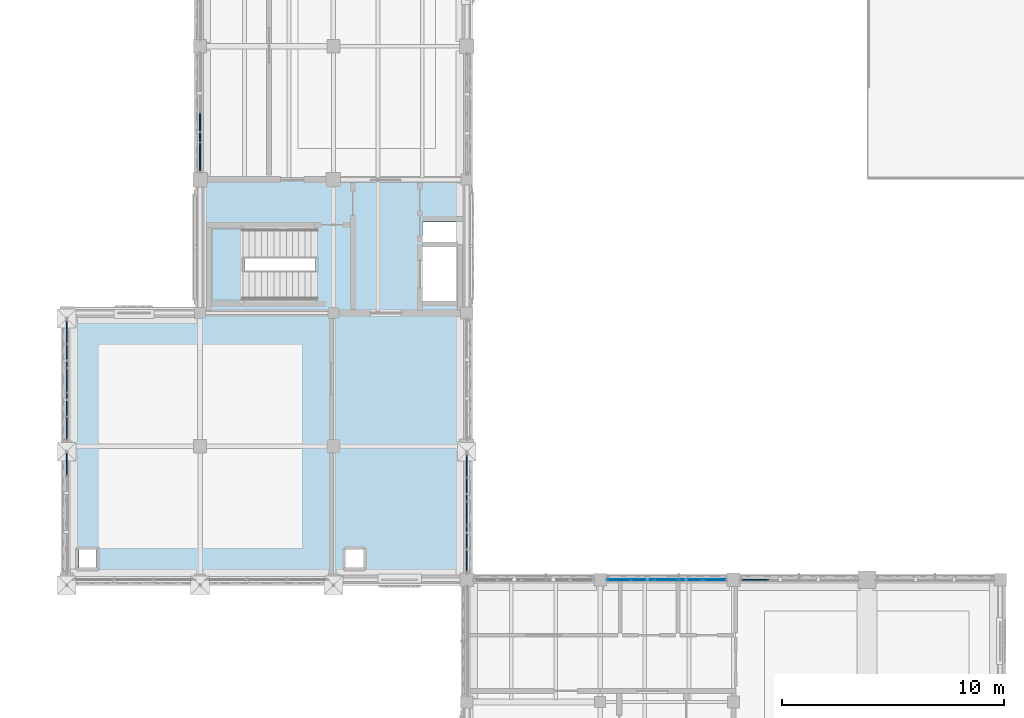
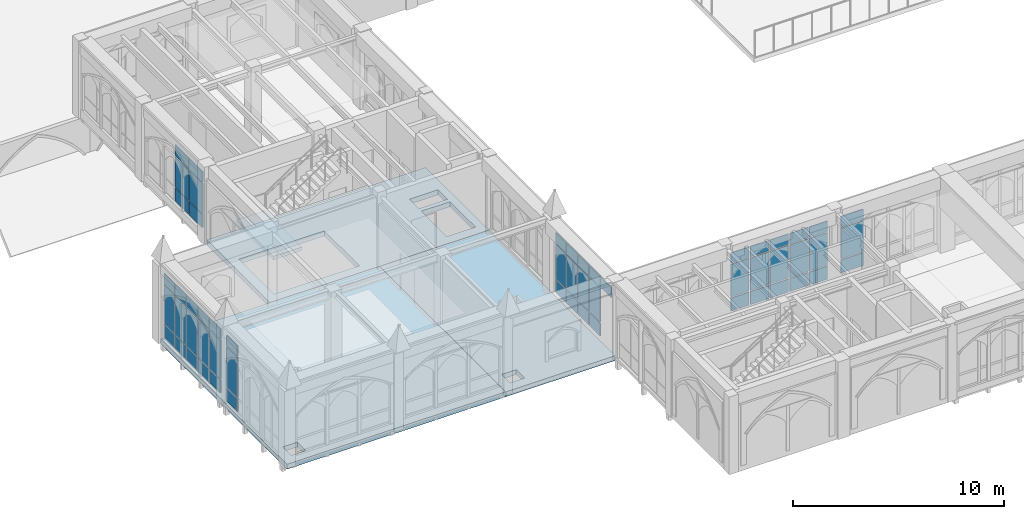
# One storey, part 64 of 127: 55 plates, 4 slabs, 7 elements without a shape of their own.
"""IFC4 building model written with IfcOpenShell, lengths in metres."""

import ifcopenshell
import ifcopenshell.guid

model = None  # the IFC model being written
_history = None  # IfcOwnerHistory: only IFC2X3 demands one
_inside = {}  # id of a spatial element -> (the spatial element, [elements in it])
_under = {}  # id of a project, library or spatial element -> (it, [spatial elements below it])
_declared = {}  # id of a project -> (the project, [libraries it declares])
_typed = {}  # id of a type object -> (the type object, [elements of that type])
_made_of = {}  # id of a material, layer set ... -> (it, [elements and type objects made of it])


def new_model(schema):
    """Start an empty IFC model of exactly this schema.

    Asked for "IFC4X3", IfcOpenShell would pick the latest addendum, in which some entities
    have other attributes; the version numbers below select the first issue.
    IFC2X3 requires an IfcOwnerHistory on every rooted entity: one is made here for all.
    """
    global model, _history
    if schema == "IFC4X3":
        model = ifcopenshell.file(schema_version=(4, 3, 0, 0))
    else:
        model = ifcopenshell.file(schema=schema)
    _inside.clear()
    _under.clear()
    _declared.clear()
    _typed.clear()
    _made_of.clear()
    _history = None
    if model.schema == "IFC2X3":
        org = make("IfcOrganization", Name="unknown")
        user = make(
            "IfcPersonAndOrganization",
            ThePerson=make("IfcPerson", FamilyName="unknown"),
            TheOrganization=org,
        )
        app = make(
            "IfcApplication",
            ApplicationDeveloper=org,
            Version="unknown",
            ApplicationFullName="unknown",
            ApplicationIdentifier="unknown",
        )
        _history = make(
            "IfcOwnerHistory",
            OwningUser=user,
            OwningApplication=app,
            ChangeAction="ADDED",
            CreationDate=0,
        )
    return model


def make(cls, **values):
    """One entity of the class cls with the attributes given. An attribute that is None is left unset."""
    return model.create_entity(
        cls, **{name: value for name, value in values.items() if value is not None}
    )


def rooted(cls, **values):
    """An entity with a GlobalId (a new one), such as an element, a storey or a relation."""
    return make(cls, GlobalId=ifcopenshell.guid.new(), OwnerHistory=_history, **values)


def si_unit(unit_type, name, prefix=None):
    """IfcSIUnit, for example si_unit("LENGTHUNIT", "METRE", prefix="MILLI")."""
    return make("IfcSIUnit", UnitType=unit_type, Prefix=prefix, Name=name)


def assignment(units):
    """IfcUnitAssignment: the units of a project."""
    return None if units is None else make("IfcUnitAssignment", Units=units)


def point(xyz):
    """IfcCartesianPoint."""
    return None if xyz is None else make("IfcCartesianPoint", Coordinates=xyz)


def direction(xyz):
    """IfcDirection."""
    return None if xyz is None else make("IfcDirection", DirectionRatios=xyz)


def frame(location, z_axis=None, x_axis=None):
    """IfcAxis2Placement3D, a coordinate frame: its origin and axes. An axis left out is left unset."""
    return make(
        "IfcAxis2Placement3D",
        Location=point(location),
        Axis=direction(z_axis),
        RefDirection=direction(x_axis),
    )


def frame_2d(location, x_axis=None):
    """IfcAxis2Placement2D, a coordinate frame in the plane: its origin and x axis."""
    return make(
        "IfcAxis2Placement2D", Location=point(location), RefDirection=direction(x_axis)
    )


def origin():
    """The frame at (0, 0, 0) with its axes left unset."""
    return frame((0.0, 0.0, 0.0))


def origin_2d():
    """The frame at (0, 0) in the plane with its x axis left unset."""
    return frame_2d((0.0, 0.0))


def place(relative_to, where):
    """IfcLocalPlacement: puts the frame where relative to a parent placement (None: the world)."""
    return make(
        "IfcLocalPlacement", PlacementRelTo=relative_to, RelativePlacement=where
    )


def context(
    kind, dimensions, precision=None, world=None, true_north=None, identifier=None
):
    """IfcGeometricRepresentationContext, for example the 3D "Model" context."""
    return make(
        "IfcGeometricRepresentationContext",
        ContextIdentifier=identifier,
        ContextType=kind,
        CoordinateSpaceDimension=dimensions,
        Precision=precision,
        WorldCoordinateSystem=world,
        TrueNorth=true_north,
    )


def subcontext(parent, identifier, kind, view, scale=None):
    """IfcGeometricRepresentationSubContext, for example "Body" below "Model"."""
    return make(
        "IfcGeometricRepresentationSubContext",
        ContextIdentifier=identifier,
        ContextType=kind,
        ParentContext=parent,
        TargetScale=scale,
        TargetView=view,
    )


def project(units=None, contexts=None):
    """IfcProject with its units and contexts."""
    return rooted(
        "IfcProject",
        Name="project",
        RepresentationContexts=contexts,
        UnitsInContext=assignment(units),
    )


def spatial(cls, under=None, at=None, **own):
    """A site, building, storey or space (cls), placed at a placement, below another one or the project."""
    s = rooted(cls, ObjectPlacement=at, **own)
    if under is not None:
        _under.setdefault(under.id(), (under, []))[1].append(s)
    return s


def polyline(points):
    """IfcPolyline through the points."""
    return make("IfcPolyline", Points=[point(p) for p in points])


def profile(cls, at=None, kind="AREA", **sizes):
    """A parametric profile (cls). Its sizes go by their IFC names, for example OverallWidth=200.0."""
    return make(cls, ProfileType=kind, Position=at, **sizes)


def rectangle(**sizes):
    """IfcRectangleProfileDef."""
    return profile("IfcRectangleProfileDef", **sizes)


def outline(outer, holes=None, kind="AREA"):
    """IfcArbitraryClosedProfileDef: a profile drawn as a closed curve; with holes, ...WithVoids."""
    if holes is None:
        return make("IfcArbitraryClosedProfileDef", ProfileType=kind, OuterCurve=outer)
    return make(
        "IfcArbitraryProfileDefWithVoids",
        ProfileType=kind,
        OuterCurve=outer,
        InnerCurves=holes,
    )


def extrude(swept, where, along, depth):
    """IfcExtrudedAreaSolid: the profile swept, set in the frame where, extruded along a direction by depth."""
    return make(
        "IfcExtrudedAreaSolid",
        SweptArea=swept,
        Position=where,
        ExtrudedDirection=direction(along),
        Depth=depth,
    )


def shape(context_of_items, identifier, shape_type, items):
    """IfcShapeRepresentation: the items that make up one representation, for example the "Body"."""
    return make(
        "IfcShapeRepresentation",
        ContextOfItems=context_of_items,
        RepresentationIdentifier=identifier,
        RepresentationType=shape_type,
        Items=items,
    )


def material(Name=None, Category=None):
    """IfcMaterial."""
    return make("IfcMaterial", Name=Name, Category=Category)


def layer(
    of_material, thickness, ventilated=None, Name=None, Category=None, Priority=None
):
    """IfcMaterialLayer: one layer of a wall or slab, of a material (None: an air gap)."""
    return make(
        "IfcMaterialLayer",
        Material=of_material,
        LayerThickness=thickness,
        IsVentilated=ventilated,
        Name=Name,
        Category=Category,
        Priority=Priority,
    )


def layer_set(layers, Name=None):
    """IfcMaterialLayerSet."""
    return make("IfcMaterialLayerSet", MaterialLayers=layers, LayerSetName=Name)


def made_of(thing, what):
    """Note that an element or type object is made of a material, layer set ...; save() writes the relation."""
    if what is not None:
        _made_of.setdefault(what.id(), (what, []))[1].append(thing)
    return thing


def type_object(cls, material=None, **own):
    """A type object (cls), such as IfcWallType, which elements share."""
    return made_of(rooted(cls, **own), material)


def element(
    cls,
    number,
    at=None,
    inside=None,
    cuts=None,
    type_object=None,
    material=None,
    context=None,
    identifier="Body",
    shape_type=None,
    held_by="IfcProductDefinitionShape",
    body=None,
    shapes=None,
    **own,
):
    """One element of the class cls, such as IfcWall. Its Tag is "e" and its number.

    at: its placement. inside: the storey or other place that contains it. cuts: it is an
    opening in that element (IfcRelVoidsElement). A single representation is given by context,
    identifier, shape_type and body (its items); several are given by shapes. held_by: the class
    of the entity that holds the representations. save() writes the other relations.
    """
    e = rooted(cls, Tag="e%d" % number, ObjectPlacement=at, **own)
    if body is not None:
        shapes = [shape(context, identifier, shape_type, body)]
    if shapes is not None:
        e.Representation = make(held_by, Representations=shapes)
    if inside is not None:
        _inside.setdefault(inside.id(), (inside, []))[1].append(e)
    if cuts is not None:
        rooted(
            "IfcRelVoidsElement", RelatingBuildingElement=cuts, RelatedOpeningElement=e
        )
    if type_object is not None:
        _typed.setdefault(type_object.id(), (type_object, []))[1].append(e)
    return made_of(e, material)


def aggregate(whole, parts):
    """IfcRelAggregates: a whole, such as a stair, and the parts it consists of."""
    return rooted("IfcRelAggregates", RelatingObject=whole, RelatedObjects=parts)


def save(model, path):
    """Write the relations noted so far, then the file.

    IfcRelAggregates (storeys below a building ...), IfcRelContainedInSpatialStructure (elements
    in a storey), IfcRelDefinesByType, IfcRelAssociatesMaterial and IfcRelDeclares: one each for
    every whole, place, type object, material and project.
    """
    for whole, parts in _under.values():
        aggregate(whole, parts)
    for where, things in _inside.values():
        rooted(
            "IfcRelContainedInSpatialStructure",
            RelatedElements=things,
            RelatingStructure=where,
        )
    for kind, things in _typed.values():
        rooted("IfcRelDefinesByType", RelatedObjects=things, RelatingType=kind)
    for what, things in _made_of.values():
        rooted("IfcRelAssociatesMaterial", RelatedObjects=things, RelatingMaterial=what)
    for by, libraries in _declared.values():
        rooted("IfcRelDeclares", RelatingContext=by, RelatedDefinitions=libraries)
    model.write(path)


model = new_model("IFC4")

# Units and contexts
model_context = context("Model", 3, precision=1e-05, world=origin(), true_north=direction((0.0, 1.0)))
body_context = subcontext(model_context, "Body", "Model", "MODEL_VIEW")
ifc_project = project(units=[si_unit("LENGTHUNIT", "METRE"), si_unit("AREAUNIT", "SQUARE_METRE"), si_unit("VOLUMEUNIT", "CUBIC_METRE"), si_unit("PLANEANGLEUNIT", "RADIAN"), si_unit("MASSUNIT", "GRAM", prefix="KILO")], contexts=[model_context])

# Site, building, storey
site_placement = place(None, origin())
site = spatial("IfcSite", under=ifc_project, at=site_placement, CompositionType="ELEMENT")
building_placement = place(site_placement, origin())
building = spatial("IfcBuilding", under=site, at=building_placement, Name="Cumevento Cable Car Station", CompositionType="ELEMENT")
storey_placement = place(building_placement, frame((0.0, 0.0, 4.5)))
storey = spatial("IfcBuildingStorey", under=building, at=storey_placement, Name="L02", CompositionType="ELEMENT", Elevation=4.5)

# Slabs
ifc_material_1 = material(Name="Concrete C40/50", Category="concrete")
ifc_layer_1 = layer(ifc_material_1, 0.283935546875)
ifc_layer_set_1 = layer_set([ifc_layer_1], Name="Concrete C40/50")
slab_type_1 = type_object("IfcSlabType", Name="Concrete Deck FS-284 284", PredefinedType="FLOOR", material=ifc_layer_set_1)
slab_1_placement = place(storey_placement, frame((0.0, 0.0, -0.283935546875)))
element("IfcSlab", 1, at=slab_1_placement, inside=storey, type_object=slab_type_1, Name="Floor Slab FS-284 L02 B_V6a.1", PredefinedType="FLOOR", context=body_context, shape_type="SweptSolid", body=[
    extrude(outline(polyline([(4.0, 15.0), (16.0, 15.0), (16.0, 27.0), (4.0, 27.0), (4.0, 15.0)]), holes=[polyline([(4.550048828125, 15.550048828125), (5.35009765625, 15.550048828125), (5.35009765625, 16.35009765625), (4.550048828125, 16.35009765625), (4.550048828125, 15.550048828125)])]), origin(), (0.0, 0.0, 1.0), 0.283935546875),
])
slab_2_placement = place(storey_placement, frame((0.0, 0.0, -0.283935546875)))
element("IfcSlab", 2, at=slab_2_placement, inside=storey, type_object=slab_type_1, Name="Floor Slab FS-284 L02 B_V6a.2", PredefinedType="FLOOR", context=body_context, shape_type="SweptSolid", body=[
    extrude(outline(polyline([(16.0, 15.0), (22.0, 15.0), (22.0, 27.0), (16.0, 27.0), (16.0, 15.0)]), holes=[polyline([(16.550048828125, 15.550048828125), (17.35009765625, 15.550048828125), (17.35009765625, 16.35009765625), (16.550048828125, 16.35009765625), (16.550048828125, 15.550048828125)])]), origin(), (0.0, 0.0, 1.0), 0.283935546875),
])
ifc_material_2 = material(Name="Concrete C40/50", Category="concrete")
ifc_layer_2 = layer(ifc_material_2, 0.2958984375)
ifc_layer_set_2 = layer_set([ifc_layer_2], Name="Concrete C40/50")
slab_type_2 = type_object("IfcSlabType", Name="Concrete Deck FS-296 296", PredefinedType="FLOOR", material=ifc_layer_set_2)
slab_3_placement = place(storey_placement, frame((0.0, 0.0, -0.2958984375)))
element("IfcSlab", 3, at=slab_3_placement, inside=storey, type_object=slab_type_2, Name="Floor Slab FS-296 L02 B_V6b_core.1", PredefinedType="FLOOR", context=body_context, shape_type="SweptSolid", body=[
    extrude(outline(polyline([(10.0, 27.0), (22.0, 27.0), (22.0, 33.0), (10.0, 33.0), (10.0, 27.0)]), holes=[polyline([(20.010009765625, 27.5400390625), (21.580078125, 27.5400390625), (21.580078125, 29.9599609375), (20.010009765625, 29.9599609375), (20.010009765625, 27.5400390625)]), polyline([(10.52001953125, 27.52001953125), (15.199951171875, 27.52001953125), (15.199951171875, 30.85009765625), (10.52001953125, 30.85009765625), (10.52001953125, 27.52001953125)]), polyline([(20.010009765625, 30.199951171875), (21.580078125, 30.199951171875), (21.580078125, 31.10009765625), (20.010009765625, 31.10009765625), (20.010009765625, 30.199951171875)])]), origin(), (0.0, 0.0, 1.0), 0.2958984375),
])

# Curtain wall, plates
ifc_material_3 = material(Name="Anodised Bronze Aluminium AW-6063-T6", Category="aluminium")
ifc_layer_3 = layer(ifc_material_3, 0.177978515625)
ifc_layer_set_3 = layer_set([ifc_layer_3], Name="Anodised Bronze Aluminium AW-6063-T6")
curtain_wall_type_1 = type_object("IfcCurtainWallType", Name="Lancet Curtain Wall CW-04 1170", PredefinedType="NOTDEFINED", material=ifc_layer_set_3)
curtain_wall_1_placement = place(storey_placement, origin())
curtain_wall_1 = element("IfcCurtainWall", 4, at=curtain_wall_1_placement, inside=storey, type_object=curtain_wall_type_1, Name="Lancet Curtain Wall CW-04 L02 #19", PredefinedType="NOTDEFINED")
ifc_material_4 = material(Name="Solar Control Laminated Double Glazing", Category="glass")
ifc_layer_4 = layer(ifc_material_4, 0.0419921875)
ifc_layer_set_4 = layer_set([ifc_layer_4], Name="Solar Control Laminated Double Glazing")
plate_type_1 = type_object("IfcPlateType", Name="Glazed Panel CWP-06 42", PredefinedType="CURTAIN_PANEL", material=ifc_layer_set_4)
plate_1_placement = place(storey_placement, frame((28.833740234375, 15.0, 0.375), z_axis=(0.0, 0.0, 1.0), x_axis=(1.0, 0.0, 0.0)))
plate_1 = element("IfcPlate", 5, at=plate_1_placement, type_object=plate_type_1, Name="CW-04 panel 1.1", PredefinedType="CURTAIN_PANEL", context=body_context, shape_type="SweptSolid", body=[
    extrude(rectangle(XDim=0.987548828125, YDim=0.0419921875, at=origin_2d()), origin(), (0.0, 0.0, 1.0), 0.75244140625),
])
plate_2_placement = place(storey_placement, frame((28.833740234375, 15.0, 1.1923828125), z_axis=(0.0, 0.0, 1.0), x_axis=(1.0, 0.0, 0.0)))
plate_2 = element("IfcPlate", 6, at=plate_2_placement, type_object=plate_type_1, Name="CW-04 panel 1.2", PredefinedType="CURTAIN_PANEL", context=body_context, shape_type="SweptSolid", body=[
    extrude(rectangle(XDim=0.987548828125, YDim=0.0419921875, at=origin_2d()), origin(), (0.0, 0.0, 1.0), 1.884033203125),
])
plate_3_placement = place(storey_placement, frame((28.833740234375, 15.0, 3.1416015625), z_axis=(0.0, 0.0, 1.0), x_axis=(1.0, 0.0, 0.0)))
plate_3 = element("IfcPlate", 7, at=plate_3_placement, type_object=plate_type_1, Name="CW-04 panel 1.3", PredefinedType="CURTAIN_PANEL", context=body_context, shape_type="SweptSolid", body=[
    extrude(rectangle(XDim=0.987548828125, YDim=0.0419921875, at=origin_2d()), origin(), (0.0, 0.0, 1.0), 0.6025390625),
])
plate_4_placement = place(storey_placement, frame((29.902587890625, 15.0, 0.375), z_axis=(0.0, 0.0, 1.0), x_axis=(1.0, 0.0, 0.0)))
plate_4 = element("IfcPlate", 8, at=plate_4_placement, type_object=plate_type_1, Name="CW-04 panel 2.1", PredefinedType="CURTAIN_PANEL", context=body_context, shape_type="SweptSolid", body=[
    extrude(rectangle(XDim=1.02001953125, YDim=0.0419921875, at=origin_2d()), origin(), (0.0, 0.0, 1.0), 0.75244140625),
])
plate_5_placement = place(storey_placement, frame((29.902587890625, 15.0, 1.1923828125), z_axis=(0.0, 0.0, 1.0), x_axis=(1.0, 0.0, 0.0)))
plate_5 = element("IfcPlate", 9, at=plate_5_placement, type_object=plate_type_1, Name="CW-04 panel 2.2", PredefinedType="CURTAIN_PANEL", context=body_context, shape_type="SweptSolid", body=[
    extrude(rectangle(XDim=1.02001953125, YDim=0.0419921875, at=origin_2d()), origin(), (0.0, 0.0, 1.0), 1.884033203125),
])
plate_6_placement = place(storey_placement, frame((29.902587890625, 15.0, 3.1416015625), z_axis=(0.0, 0.0, 1.0), x_axis=(1.0, 0.0, 0.0)))
plate_6 = element("IfcPlate", 10, at=plate_6_placement, type_object=plate_type_1, Name="CW-04 panel 2.3", PredefinedType="CURTAIN_PANEL", context=body_context, shape_type="SweptSolid", body=[
    extrude(rectangle(XDim=1.02001953125, YDim=0.0419921875, at=origin_2d()), origin(), (0.0, 0.0, 1.0), 0.6025390625),
])
plate_7_placement = place(storey_placement, frame((30.987548828125, 15.0, 0.375), z_axis=(0.0, 0.0, 1.0), x_axis=(1.0, 0.0, 0.0)))
plate_7 = element("IfcPlate", 11, at=plate_7_placement, type_object=plate_type_1, Name="CW-04 panel 3.1", PredefinedType="CURTAIN_PANEL", context=body_context, shape_type="SweptSolid", body=[
    extrude(rectangle(XDim=1.02001953125, YDim=0.0419921875, at=origin_2d()), origin(), (0.0, 0.0, 1.0), 0.75244140625),
])
plate_8_placement = place(storey_placement, frame((30.987548828125, 15.0, 1.1923828125), z_axis=(0.0, 0.0, 1.0), x_axis=(1.0, 0.0, 0.0)))
plate_8 = element("IfcPlate", 12, at=plate_8_placement, type_object=plate_type_1, Name="CW-04 panel 3.2", PredefinedType="CURTAIN_PANEL", context=body_context, shape_type="SweptSolid", body=[
    extrude(rectangle(XDim=1.02001953125, YDim=0.0419921875, at=origin_2d()), origin(), (0.0, 0.0, 1.0), 1.884033203125),
])
plate_9_placement = place(storey_placement, frame((30.987548828125, 15.0, 3.1416015625), z_axis=(0.0, 0.0, 1.0), x_axis=(1.0, 0.0, 0.0)))
plate_9 = element("IfcPlate", 13, at=plate_9_placement, type_object=plate_type_1, Name="CW-04 panel 3.3", PredefinedType="CURTAIN_PANEL", context=body_context, shape_type="SweptSolid", body=[
    extrude(rectangle(XDim=1.02001953125, YDim=0.0419921875, at=origin_2d()), origin(), (0.0, 0.0, 1.0), 0.6025390625),
])
plate_10_placement = place(storey_placement, frame((32.072509765625, 15.0, 0.375), z_axis=(0.0, 0.0, 1.0), x_axis=(1.0, 0.0, 0.0)))
plate_10 = element("IfcPlate", 14, at=plate_10_placement, type_object=plate_type_1, Name="CW-04 panel 4.1", PredefinedType="CURTAIN_PANEL", context=body_context, shape_type="SweptSolid", body=[
    extrude(rectangle(XDim=1.02001953125, YDim=0.0419921875, at=origin_2d()), origin(), (0.0, 0.0, 1.0), 0.75244140625),
])
plate_11_placement = place(storey_placement, frame((32.072509765625, 15.0, 1.1923828125), z_axis=(0.0, 0.0, 1.0), x_axis=(1.0, 0.0, 0.0)))
plate_11 = element("IfcPlate", 15, at=plate_11_placement, type_object=plate_type_1, Name="CW-04 panel 4.2", PredefinedType="CURTAIN_PANEL", context=body_context, shape_type="SweptSolid", body=[
    extrude(rectangle(XDim=1.02001953125, YDim=0.0419921875, at=origin_2d()), origin(), (0.0, 0.0, 1.0), 1.884033203125),
])
plate_12_placement = place(storey_placement, frame((32.072509765625, 15.0, 3.1416015625), z_axis=(0.0, 0.0, 1.0), x_axis=(1.0, 0.0, 0.0)))
plate_12 = element("IfcPlate", 16, at=plate_12_placement, type_object=plate_type_1, Name="CW-04 panel 4.3", PredefinedType="CURTAIN_PANEL", context=body_context, shape_type="SweptSolid", body=[
    extrude(rectangle(XDim=1.02001953125, YDim=0.0419921875, at=origin_2d()), origin(), (0.0, 0.0, 1.0), 0.6025390625),
])
plate_13_placement = place(storey_placement, frame((33.141357421875, 15.0, 0.375), z_axis=(0.0, 0.0, 1.0), x_axis=(1.0, 0.0, 0.0)))
plate_13 = element("IfcPlate", 17, at=plate_13_placement, type_object=plate_type_1, Name="CW-04 panel 5.1", PredefinedType="CURTAIN_PANEL", context=body_context, shape_type="SweptSolid", body=[
    extrude(rectangle(XDim=0.987548828125, YDim=0.0419921875, at=origin_2d()), origin(), (0.0, 0.0, 1.0), 0.75244140625),
])
plate_14_placement = place(storey_placement, frame((33.141357421875, 15.0, 1.1923828125), z_axis=(0.0, 0.0, 1.0), x_axis=(1.0, 0.0, 0.0)))
plate_14 = element("IfcPlate", 18, at=plate_14_placement, type_object=plate_type_1, Name="CW-04 panel 5.2", PredefinedType="CURTAIN_PANEL", context=body_context, shape_type="SweptSolid", body=[
    extrude(rectangle(XDim=0.987548828125, YDim=0.0419921875, at=origin_2d()), origin(), (0.0, 0.0, 1.0), 1.884033203125),
])
plate_15_placement = place(storey_placement, frame((33.141357421875, 15.0, 3.1416015625), z_axis=(0.0, 0.0, 1.0), x_axis=(1.0, 0.0, 0.0)))
plate_15 = element("IfcPlate", 19, at=plate_15_placement, type_object=plate_type_1, Name="CW-04 panel 5.3", PredefinedType="CURTAIN_PANEL", context=body_context, shape_type="SweptSolid", body=[
    extrude(rectangle(XDim=0.987548828125, YDim=0.0419921875, at=origin_2d()), origin(), (0.0, 0.0, 1.0), 0.6025390625),
])
aggregate(curtain_wall_1, [plate_1, plate_2, plate_3, plate_4, plate_5, plate_6, plate_7, plate_8, plate_9, plate_10, plate_11, plate_12, plate_13, plate_14, plate_15])

ifc_material_5 = material(Name="Anodised Bronze Aluminium AW-6063-T6", Category="aluminium")
ifc_layer_5 = layer(ifc_material_5, 0.159912109375)
ifc_layer_set_5 = layer_set([ifc_layer_5], Name="Anodised Bronze Aluminium AW-6063-T6")
curtain_wall_type_2 = type_object("IfcCurtainWallType", Name="Lancet Curtain Wall CW-01 1050", PredefinedType="NOTDEFINED", material=ifc_layer_set_5)
curtain_wall_2_placement = place(storey_placement, origin())
curtain_wall_2 = element("IfcCurtainWall", 20, at=curtain_wall_2_placement, inside=storey, type_object=curtain_wall_type_2, Name="Lancet Curtain Wall CW-01 L02 #48", PredefinedType="NOTDEFINED")
ifc_material_6 = material(Name="Solar Control Laminated Double Glazing", Category="glass")
ifc_layer_6 = layer(ifc_material_6, 0.0458984375)
ifc_layer_set_6 = layer_set([ifc_layer_6], Name="Solar Control Laminated Double Glazing")
plate_type_2 = type_object("IfcPlateType", Name="Glazed Panel CWP-07 46", PredefinedType="CURTAIN_PANEL", material=ifc_layer_set_6)
plate_16_placement = place(storey_placement, frame((4.0, 20.188720703125, 0.22509765625), z_axis=(0.0, 0.0, 1.0), x_axis=(0.0, 1.0, 0.0)))
plate_16 = element("IfcPlate", 21, at=plate_16_placement, type_object=plate_type_2, Name="CW-01 panel 5.1", PredefinedType="CURTAIN_PANEL", context=body_context, shape_type="SweptSolid", body=[
    extrude(rectangle(XDim=0.992431640625, YDim=0.0458984375, at=origin_2d()), origin(), (0.0, 0.0, 1.0), 0.75244140625),
])
plate_17_placement = place(storey_placement, frame((4.0, 20.188720703125, 1.04248046875), z_axis=(0.0, 0.0, 1.0), x_axis=(0.0, 1.0, 0.0)))
plate_17 = element("IfcPlate", 22, at=plate_17_placement, type_object=plate_type_2, Name="CW-01 panel 5.2", PredefinedType="CURTAIN_PANEL", context=body_context, shape_type="SweptSolid", body=[
    extrude(rectangle(XDim=0.992431640625, YDim=0.0458984375, at=origin_2d()), origin(), (0.0, 0.0, 1.0), 2.318115234375),
])
plate_18_placement = place(storey_placement, frame((4.0, 20.188720703125, 3.425537109375), z_axis=(0.0, 0.0, 1.0), x_axis=(0.0, 1.0, 0.0)))
plate_18 = element("IfcPlate", 23, at=plate_18_placement, type_object=plate_type_2, Name="CW-01 panel 5.3", PredefinedType="CURTAIN_PANEL", context=body_context, shape_type="SweptSolid", body=[
    extrude(rectangle(XDim=0.992431640625, YDim=0.0458984375, at=origin_2d()), origin(), (0.0, 0.0, 1.0), 0.6025390625),
])
aggregate(curtain_wall_2, [plate_16, plate_17, plate_18])

ifc_material_7 = material(Name="Anodised Bronze Aluminium AW-6063-T6", Category="aluminium")
ifc_layer_7 = layer(ifc_material_7, 0.18994140625)
ifc_layer_set_7 = layer_set([ifc_layer_7], Name="Anodised Bronze Aluminium AW-6063-T6")
curtain_wall_type_3 = type_object("IfcCurtainWallType", Name="Lancet Curtain Wall CW-06 1250", PredefinedType="NOTDEFINED", material=ifc_layer_set_7)
curtain_wall_3_placement = place(storey_placement, origin())
curtain_wall_3 = element("IfcCurtainWall", 24, at=curtain_wall_3_placement, inside=storey, type_object=curtain_wall_type_3, Name="Lancet Curtain Wall CW-06 L02 #21", PredefinedType="NOTDEFINED")
ifc_material_8 = material(Name="Solar Control Laminated Double Glazing", Category="glass")
ifc_layer_8 = layer(ifc_material_8, 0.050048828125)
ifc_layer_set_8 = layer_set([ifc_layer_8], Name="Solar Control Laminated Double Glazing")
plate_type_3 = type_object("IfcPlateType", Name="Glazed Panel CWP-08 50", PredefinedType="CURTAIN_PANEL", material=ifc_layer_set_8)
plate_19_placement = place(storey_placement, frame((34.978759765625, 15.0, 0.47509765625), z_axis=(0.0, 0.0, 1.0), x_axis=(1.0, 0.0, 0.0)))
plate_19 = element("IfcPlate", 25, at=plate_19_placement, type_object=plate_type_3, Name="CW-06 panel 1.1", PredefinedType="CURTAIN_PANEL", context=body_context, shape_type="SweptSolid", body=[
    extrude(rectangle(XDim=1.2275390625, YDim=0.050048828125, at=origin_2d()), origin(), (0.0, 0.0, 1.0), 0.75244140625),
])
plate_20_placement = place(storey_placement, frame((34.978759765625, 15.0, 1.29248046875), z_axis=(0.0, 0.0, 1.0), x_axis=(1.0, 0.0, 0.0)))
plate_20 = element("IfcPlate", 26, at=plate_20_placement, type_object=plate_type_3, Name="CW-06 panel 1.2", PredefinedType="CURTAIN_PANEL", context=body_context, shape_type="SweptSolid", body=[
    extrude(rectangle(XDim=1.2275390625, YDim=0.050048828125, at=origin_2d()), origin(), (0.0, 0.0, 1.0), 1.783935546875),
])
plate_21_placement = place(storey_placement, frame((34.978759765625, 15.0, 3.1416015625), z_axis=(0.0, 0.0, 1.0), x_axis=(1.0, 0.0, 0.0)))
plate_21 = element("IfcPlate", 27, at=plate_21_placement, type_object=plate_type_3, Name="CW-06 panel 1.3", PredefinedType="CURTAIN_PANEL", context=body_context, shape_type="SweptSolid", body=[
    extrude(rectangle(XDim=1.2275390625, YDim=0.050048828125, at=origin_2d()), origin(), (0.0, 0.0, 1.0), 0.6025390625),
])
aggregate(curtain_wall_3, [plate_19, plate_20, plate_21])

ifc_material_9 = material(Name="Anodised Bronze Aluminium AW-6063-T6", Category="aluminium")
ifc_layer_9 = layer(ifc_material_9, 0.166015625)
ifc_layer_set_9 = layer_set([ifc_layer_9], Name="Anodised Bronze Aluminium AW-6063-T6")
curtain_wall_type_4 = type_object("IfcCurtainWallType", Name="Lancet Curtain Wall CW-02 1090", PredefinedType="NOTDEFINED", material=ifc_layer_set_9)
curtain_wall_4_placement = place(storey_placement, origin())
curtain_wall_4 = element("IfcCurtainWall", 28, at=curtain_wall_4_placement, inside=storey, type_object=curtain_wall_type_4, Name="Lancet Curtain Wall CW-02 L02 #49", PredefinedType="NOTDEFINED")
plate_22_placement = place(storey_placement, frame((22.0, 20.121337890625, 0.275146484375), z_axis=(0.0, 0.0, 1.0), x_axis=(0.0, -1.0, 0.0)))
plate_22 = element("IfcPlate", 29, at=plate_22_placement, type_object=plate_type_3, Name="CW-02 panel 1.1", PredefinedType="CURTAIN_PANEL", context=body_context, shape_type="SweptSolid", body=[
    extrude(rectangle(XDim=0.9775390625, YDim=0.050048828125, at=origin_2d()), origin(), (0.0, 0.0, 1.0), 0.75244140625),
])
plate_23_placement = place(storey_placement, frame((22.0, 20.121337890625, 1.092529296875), z_axis=(0.0, 0.0, 1.0), x_axis=(0.0, -1.0, 0.0)))
plate_23 = element("IfcPlate", 30, at=plate_23_placement, type_object=plate_type_3, Name="CW-02 panel 1.2", PredefinedType="CURTAIN_PANEL", context=body_context, shape_type="SweptSolid", body=[
    extrude(rectangle(XDim=0.9775390625, YDim=0.050048828125, at=origin_2d()), origin(), (0.0, 0.0, 1.0), 1.98388671875),
])
plate_24_placement = place(storey_placement, frame((22.0, 20.121337890625, 3.1416015625), z_axis=(0.0, 0.0, 1.0), x_axis=(0.0, -1.0, 0.0)))
plate_24 = element("IfcPlate", 31, at=plate_24_placement, type_object=plate_type_3, Name="CW-02 panel 1.3", PredefinedType="CURTAIN_PANEL", context=body_context, shape_type="SweptSolid", body=[
    extrude(rectangle(XDim=0.9775390625, YDim=0.050048828125, at=origin_2d()), origin(), (0.0, 0.0, 1.0), 0.6025390625),
])
plate_25_placement = place(storey_placement, frame((22.0, 19.0625, 0.275146484375), z_axis=(0.0, 0.0, 1.0), x_axis=(0.0, -1.0, 0.0)))
plate_25 = element("IfcPlate", 32, at=plate_25_placement, type_object=plate_type_3, Name="CW-02 panel 2.1", PredefinedType="CURTAIN_PANEL", context=body_context, shape_type="SweptSolid", body=[
    extrude(rectangle(XDim=1.010009765625, YDim=0.050048828125, at=origin_2d()), origin(), (0.0, 0.0, 1.0), 0.75244140625),
])
plate_26_placement = place(storey_placement, frame((22.0, 19.0625, 1.092529296875), z_axis=(0.0, 0.0, 1.0), x_axis=(0.0, -1.0, 0.0)))
plate_26 = element("IfcPlate", 33, at=plate_26_placement, type_object=plate_type_3, Name="CW-02 panel 2.2", PredefinedType="CURTAIN_PANEL", context=body_context, shape_type="SweptSolid", body=[
    extrude(rectangle(XDim=1.010009765625, YDim=0.050048828125, at=origin_2d()), origin(), (0.0, 0.0, 1.0), 1.98388671875),
])
plate_27_placement = place(storey_placement, frame((22.0, 19.0625, 3.1416015625), z_axis=(0.0, 0.0, 1.0), x_axis=(0.0, -1.0, 0.0)))
plate_27 = element("IfcPlate", 34, at=plate_27_placement, type_object=plate_type_3, Name="CW-02 panel 2.3", PredefinedType="CURTAIN_PANEL", context=body_context, shape_type="SweptSolid", body=[
    extrude(rectangle(XDim=1.010009765625, YDim=0.050048828125, at=origin_2d()), origin(), (0.0, 0.0, 1.0), 0.6025390625),
])
plate_28_placement = place(storey_placement, frame((22.0, 17.987548828125, 0.275146484375), z_axis=(0.0, 0.0, 1.0), x_axis=(0.0, -1.0, 0.0)))
plate_28 = element("IfcPlate", 35, at=plate_28_placement, type_object=plate_type_3, Name="CW-02 panel 3.1", PredefinedType="CURTAIN_PANEL", context=body_context, shape_type="SweptSolid", body=[
    extrude(rectangle(XDim=1.010009765625, YDim=0.050048828125, at=origin_2d()), origin(), (0.0, 0.0, 1.0), 0.75244140625),
])
plate_29_placement = place(storey_placement, frame((22.0, 17.987548828125, 1.092529296875), z_axis=(0.0, 0.0, 1.0), x_axis=(0.0, -1.0, 0.0)))
plate_29 = element("IfcPlate", 36, at=plate_29_placement, type_object=plate_type_3, Name="CW-02 panel 3.2", PredefinedType="CURTAIN_PANEL", context=body_context, shape_type="SweptSolid", body=[
    extrude(rectangle(XDim=1.010009765625, YDim=0.050048828125, at=origin_2d()), origin(), (0.0, 0.0, 1.0), 1.98388671875),
])
plate_30_placement = place(storey_placement, frame((22.0, 17.987548828125, 3.1416015625), z_axis=(0.0, 0.0, 1.0), x_axis=(0.0, -1.0, 0.0)))
plate_30 = element("IfcPlate", 37, at=plate_30_placement, type_object=plate_type_3, Name="CW-02 panel 3.3", PredefinedType="CURTAIN_PANEL", context=body_context, shape_type="SweptSolid", body=[
    extrude(rectangle(XDim=1.010009765625, YDim=0.050048828125, at=origin_2d()), origin(), (0.0, 0.0, 1.0), 0.6025390625),
])
plate_31_placement = place(storey_placement, frame((22.0, 16.91259765625, 0.275146484375), z_axis=(0.0, 0.0, 1.0), x_axis=(0.0, -1.0, 0.0)))
plate_31 = element("IfcPlate", 38, at=plate_31_placement, type_object=plate_type_3, Name="CW-02 panel 4.1", PredefinedType="CURTAIN_PANEL", context=body_context, shape_type="SweptSolid", body=[
    extrude(rectangle(XDim=1.010009765625, YDim=0.050048828125, at=origin_2d()), origin(), (0.0, 0.0, 1.0), 0.75244140625),
])
plate_32_placement = place(storey_placement, frame((22.0, 16.91259765625, 1.092529296875), z_axis=(0.0, 0.0, 1.0), x_axis=(0.0, -1.0, 0.0)))
plate_32 = element("IfcPlate", 39, at=plate_32_placement, type_object=plate_type_3, Name="CW-02 panel 4.2", PredefinedType="CURTAIN_PANEL", context=body_context, shape_type="SweptSolid", body=[
    extrude(rectangle(XDim=1.010009765625, YDim=0.050048828125, at=origin_2d()), origin(), (0.0, 0.0, 1.0), 1.98388671875),
])
plate_33_placement = place(storey_placement, frame((22.0, 16.91259765625, 3.1416015625), z_axis=(0.0, 0.0, 1.0), x_axis=(0.0, -1.0, 0.0)))
plate_33 = element("IfcPlate", 40, at=plate_33_placement, type_object=plate_type_3, Name="CW-02 panel 4.3", PredefinedType="CURTAIN_PANEL", context=body_context, shape_type="SweptSolid", body=[
    extrude(rectangle(XDim=1.010009765625, YDim=0.050048828125, at=origin_2d()), origin(), (0.0, 0.0, 1.0), 0.6025390625),
])
plate_34_placement = place(storey_placement, frame((22.0, 15.853759765625, 3.1416015625), z_axis=(0.0, 0.0, 1.0), x_axis=(0.0, -1.0, 0.0)))
plate_34 = element("IfcPlate", 41, at=plate_34_placement, type_object=plate_type_3, Name="CW-02 panel 5.3", PredefinedType="CURTAIN_PANEL", context=body_context, shape_type="SweptSolid", body=[
    extrude(rectangle(XDim=0.9775390625, YDim=0.050048828125, at=origin_2d()), origin(), (0.0, 0.0, 1.0), 0.6025390625),
])
aggregate(curtain_wall_4, [plate_22, plate_23, plate_24, plate_25, plate_26, plate_27, plate_28, plate_29, plate_30, plate_31, plate_32, plate_33, plate_34])

ifc_material_10 = material(Name="Anodised Bronze Aluminium AW-6063-T6", Category="aluminium")
ifc_layer_10 = layer(ifc_material_10, 0.172119140625)
ifc_layer_set_10 = layer_set([ifc_layer_10], Name="Anodised Bronze Aluminium AW-6063-T6")
curtain_wall_type_5 = type_object("IfcCurtainWallType", Name="Lancet Curtain Wall CW-03 1130", PredefinedType="NOTDEFINED", material=ifc_layer_set_10)
curtain_wall_5_placement = place(storey_placement, origin())
curtain_wall_5 = element("IfcCurtainWall", 42, at=curtain_wall_5_placement, inside=storey, type_object=curtain_wall_type_5, Name="Lancet Curtain Wall CW-03 L02 #50", PredefinedType="NOTDEFINED")
ifc_material_11 = material(Name="Insulated Bronze Aluminium Spandrel Panel", Category="aluminium")
ifc_layer_11 = layer(ifc_material_11, 0.054931640625)
ifc_layer_set_11 = layer_set([ifc_layer_11], Name="Insulated Bronze Aluminium Spandrel Panel")
plate_type_4 = type_object("IfcPlateType", Name="Spandrel Panel CWP-09 55", PredefinedType="CURTAIN_PANEL", material=ifc_layer_set_11)
plate_35_placement = place(storey_placement, frame((4.0, 21.811279296875, 0.324951171875), z_axis=(0.0, 0.0, 1.0), x_axis=(0.0, 1.0, 0.0)))
plate_35 = element("IfcPlate", 43, at=plate_35_placement, type_object=plate_type_4, Name="CW-03 panel 1.1", PredefinedType="CURTAIN_PANEL", context=body_context, shape_type="SweptSolid", body=[
    extrude(rectangle(XDim=0.992431640625, YDim=0.054931640625, at=origin_2d()), origin(), (0.0, 0.0, 1.0), 0.75244140625),
])
plate_36_placement = place(storey_placement, frame((4.0, 21.811279296875, 1.142578125), z_axis=(0.0, 0.0, 1.0), x_axis=(0.0, 1.0, 0.0)))
plate_36 = element("IfcPlate", 44, at=plate_36_placement, type_object=plate_type_4, Name="CW-03 panel 1.2", PredefinedType="CURTAIN_PANEL", context=body_context, shape_type="SweptSolid", body=[
    extrude(rectangle(XDim=0.992431640625, YDim=0.054931640625, at=origin_2d()), origin(), (0.0, 0.0, 1.0), 2.218017578125),
])
plate_37_placement = place(storey_placement, frame((4.0, 21.811279296875, 3.425537109375), z_axis=(0.0, 0.0, 1.0), x_axis=(0.0, 1.0, 0.0)))
plate_37 = element("IfcPlate", 45, at=plate_37_placement, type_object=plate_type_4, Name="CW-03 panel 1.3", PredefinedType="CURTAIN_PANEL", context=body_context, shape_type="SweptSolid", body=[
    extrude(rectangle(XDim=0.992431640625, YDim=0.054931640625, at=origin_2d()), origin(), (0.0, 0.0, 1.0), 0.6025390625),
])
plate_38_placement = place(storey_placement, frame((4.0, 22.885009765625, 0.324951171875), z_axis=(0.0, 0.0, 1.0), x_axis=(0.0, 1.0, 0.0)))
plate_38 = element("IfcPlate", 46, at=plate_38_placement, type_object=plate_type_4, Name="CW-03 panel 2.1", PredefinedType="CURTAIN_PANEL", context=body_context, shape_type="SweptSolid", body=[
    extrude(rectangle(XDim=1.02490234375, YDim=0.054931640625, at=origin_2d()), origin(), (0.0, 0.0, 1.0), 0.75244140625),
])
plate_39_placement = place(storey_placement, frame((4.0, 22.885009765625, 1.142578125), z_axis=(0.0, 0.0, 1.0), x_axis=(0.0, 1.0, 0.0)))
plate_39 = element("IfcPlate", 47, at=plate_39_placement, type_object=plate_type_4, Name="CW-03 panel 2.2", PredefinedType="CURTAIN_PANEL", context=body_context, shape_type="SweptSolid", body=[
    extrude(rectangle(XDim=1.02490234375, YDim=0.054931640625, at=origin_2d()), origin(), (0.0, 0.0, 1.0), 2.218017578125),
])
plate_40_placement = place(storey_placement, frame((4.0, 22.885009765625, 3.425537109375), z_axis=(0.0, 0.0, 1.0), x_axis=(0.0, 1.0, 0.0)))
plate_40 = element("IfcPlate", 48, at=plate_40_placement, type_object=plate_type_4, Name="CW-03 panel 2.3", PredefinedType="CURTAIN_PANEL", context=body_context, shape_type="SweptSolid", body=[
    extrude(rectangle(XDim=1.02490234375, YDim=0.054931640625, at=origin_2d()), origin(), (0.0, 0.0, 1.0), 0.6025390625),
])
plate_41_placement = place(storey_placement, frame((4.0, 23.97509765625, 0.324951171875), z_axis=(0.0, 0.0, 1.0), x_axis=(0.0, 1.0, 0.0)))
plate_41 = element("IfcPlate", 49, at=plate_41_placement, type_object=plate_type_4, Name="CW-03 panel 3.1", PredefinedType="CURTAIN_PANEL", context=body_context, shape_type="SweptSolid", body=[
    extrude(rectangle(XDim=1.02490234375, YDim=0.054931640625, at=origin_2d()), origin(), (0.0, 0.0, 1.0), 0.75244140625),
])
plate_42_placement = place(storey_placement, frame((4.0, 23.97509765625, 1.142578125), z_axis=(0.0, 0.0, 1.0), x_axis=(0.0, 1.0, 0.0)))
plate_42 = element("IfcPlate", 50, at=plate_42_placement, type_object=plate_type_4, Name="CW-03 panel 3.2", PredefinedType="CURTAIN_PANEL", context=body_context, shape_type="SweptSolid", body=[
    extrude(rectangle(XDim=1.02490234375, YDim=0.054931640625, at=origin_2d()), origin(), (0.0, 0.0, 1.0), 2.218017578125),
])
plate_43_placement = place(storey_placement, frame((4.0, 23.97509765625, 3.425537109375), z_axis=(0.0, 0.0, 1.0), x_axis=(0.0, 1.0, 0.0)))
plate_43 = element("IfcPlate", 51, at=plate_43_placement, type_object=plate_type_4, Name="CW-03 panel 3.3", PredefinedType="CURTAIN_PANEL", context=body_context, shape_type="SweptSolid", body=[
    extrude(rectangle(XDim=1.02490234375, YDim=0.054931640625, at=origin_2d()), origin(), (0.0, 0.0, 1.0), 0.6025390625),
])
plate_44_placement = place(storey_placement, frame((4.0, 25.06494140625, 0.324951171875), z_axis=(0.0, 0.0, 1.0), x_axis=(0.0, 1.0, 0.0)))
plate_44 = element("IfcPlate", 52, at=plate_44_placement, type_object=plate_type_4, Name="CW-03 panel 4.1", PredefinedType="CURTAIN_PANEL", context=body_context, shape_type="SweptSolid", body=[
    extrude(rectangle(XDim=1.02490234375, YDim=0.054931640625, at=origin_2d()), origin(), (0.0, 0.0, 1.0), 0.75244140625),
])
plate_45_placement = place(storey_placement, frame((4.0, 25.06494140625, 1.142578125), z_axis=(0.0, 0.0, 1.0), x_axis=(0.0, 1.0, 0.0)))
plate_45 = element("IfcPlate", 53, at=plate_45_placement, type_object=plate_type_4, Name="CW-03 panel 4.2", PredefinedType="CURTAIN_PANEL", context=body_context, shape_type="SweptSolid", body=[
    extrude(rectangle(XDim=1.02490234375, YDim=0.054931640625, at=origin_2d()), origin(), (0.0, 0.0, 1.0), 2.218017578125),
])
plate_46_placement = place(storey_placement, frame((4.0, 25.06494140625, 3.425537109375), z_axis=(0.0, 0.0, 1.0), x_axis=(0.0, 1.0, 0.0)))
plate_46 = element("IfcPlate", 54, at=plate_46_placement, type_object=plate_type_4, Name="CW-03 panel 4.3", PredefinedType="CURTAIN_PANEL", context=body_context, shape_type="SweptSolid", body=[
    extrude(rectangle(XDim=1.02490234375, YDim=0.054931640625, at=origin_2d()), origin(), (0.0, 0.0, 1.0), 0.6025390625),
])
plate_47_placement = place(storey_placement, frame((4.0, 26.138671875, 0.324951171875), z_axis=(0.0, 0.0, 1.0), x_axis=(0.0, 1.0, 0.0)))
plate_47 = element("IfcPlate", 55, at=plate_47_placement, type_object=plate_type_4, Name="CW-03 panel 5.1", PredefinedType="CURTAIN_PANEL", context=body_context, shape_type="SweptSolid", body=[
    extrude(rectangle(XDim=0.992431640625, YDim=0.054931640625, at=origin_2d()), origin(), (0.0, 0.0, 1.0), 0.75244140625),
])
plate_48_placement = place(storey_placement, frame((4.0, 26.138671875, 1.142578125), z_axis=(0.0, 0.0, 1.0), x_axis=(0.0, 1.0, 0.0)))
plate_48 = element("IfcPlate", 56, at=plate_48_placement, type_object=plate_type_4, Name="CW-03 panel 5.2", PredefinedType="CURTAIN_PANEL", context=body_context, shape_type="SweptSolid", body=[
    extrude(rectangle(XDim=0.992431640625, YDim=0.054931640625, at=origin_2d()), origin(), (0.0, 0.0, 1.0), 2.218017578125),
])
plate_49_placement = place(storey_placement, frame((4.0, 26.138671875, 3.425537109375), z_axis=(0.0, 0.0, 1.0), x_axis=(0.0, 1.0, 0.0)))
plate_49 = element("IfcPlate", 57, at=plate_49_placement, type_object=plate_type_4, Name="CW-03 panel 5.3", PredefinedType="CURTAIN_PANEL", context=body_context, shape_type="SweptSolid", body=[
    extrude(rectangle(XDim=0.992431640625, YDim=0.054931640625, at=origin_2d()), origin(), (0.0, 0.0, 1.0), 0.6025390625),
])
aggregate(curtain_wall_5, [plate_35, plate_36, plate_37, plate_38, plate_39, plate_40, plate_41, plate_42, plate_43, plate_44, plate_45, plate_46, plate_47, plate_48, plate_49])

curtain_wall_6_placement = place(storey_placement, origin())
curtain_wall_6 = element("IfcCurtainWall", 58, at=curtain_wall_6_placement, inside=storey, type_object=curtain_wall_type_3, Name="Lancet Curtain Wall CW-06 L02 #53", PredefinedType="NOTDEFINED")
ifc_material_12 = material(Name="Insulated Bronze Aluminium Spandrel Panel", Category="aluminium")
ifc_layer_12 = layer(ifc_material_12, 0.072021484375)
ifc_layer_set_12 = layer_set([ifc_layer_12], Name="Insulated Bronze Aluminium Spandrel Panel")
plate_type_5 = type_object("IfcPlateType", Name="Spandrel Panel CWP-12 72", PredefinedType="CURTAIN_PANEL", material=ifc_layer_set_12)
plate_50_placement = place(storey_placement, frame((10.0, 34.01318359375, 0.47509765625), z_axis=(0.0, 0.0, 1.0), x_axis=(0.0, 1.0, 0.0)))
plate_50 = element("IfcPlate", 59, at=plate_50_placement, type_object=plate_type_5, Name="CW-06 panel 1.1", PredefinedType="CURTAIN_PANEL", context=body_context, shape_type="SweptSolid", body=[
    extrude(rectangle(XDim=1.246337890625, YDim=0.072021484375, at=origin_2d()), origin(), (0.0, 0.0, 1.0), 0.75244140625),
])
plate_51_placement = place(storey_placement, frame((10.0, 34.01318359375, 1.29248046875), z_axis=(0.0, 0.0, 1.0), x_axis=(0.0, 1.0, 0.0)))
plate_51 = element("IfcPlate", 60, at=plate_51_placement, type_object=plate_type_5, Name="CW-06 panel 1.2", PredefinedType="CURTAIN_PANEL", context=body_context, shape_type="SweptSolid", body=[
    extrude(rectangle(XDim=1.246337890625, YDim=0.072021484375, at=origin_2d()), origin(), (0.0, 0.0, 1.0), 1.7529296875),
])
plate_52_placement = place(storey_placement, frame((10.0, 34.01318359375, 3.110595703125), z_axis=(0.0, 0.0, 1.0), x_axis=(0.0, 1.0, 0.0)))
plate_52 = element("IfcPlate", 61, at=plate_52_placement, type_object=plate_type_5, Name="CW-06 panel 1.3", PredefinedType="CURTAIN_PANEL", context=body_context, shape_type="SweptSolid", body=[
    extrude(rectangle(XDim=1.246337890625, YDim=0.072021484375, at=origin_2d()), origin(), (0.0, 0.0, 1.0), 0.6025390625),
])
plate_53_placement = place(storey_placement, frame((10.0, 35.340576171875, 0.47509765625), z_axis=(0.0, 0.0, 1.0), x_axis=(0.0, 1.0, 0.0)))
plate_53 = element("IfcPlate", 62, at=plate_53_placement, type_object=plate_type_5, Name="CW-06 panel 2.1", PredefinedType="CURTAIN_PANEL", context=body_context, shape_type="SweptSolid", body=[
    extrude(rectangle(XDim=1.27880859375, YDim=0.072021484375, at=origin_2d()), origin(), (0.0, 0.0, 1.0), 0.75244140625),
])
plate_54_placement = place(storey_placement, frame((10.0, 35.340576171875, 1.29248046875), z_axis=(0.0, 0.0, 1.0), x_axis=(0.0, 1.0, 0.0)))
plate_54 = element("IfcPlate", 63, at=plate_54_placement, type_object=plate_type_5, Name="CW-06 panel 2.2", PredefinedType="CURTAIN_PANEL", context=body_context, shape_type="SweptSolid", body=[
    extrude(rectangle(XDim=1.27880859375, YDim=0.072021484375, at=origin_2d()), origin(), (0.0, 0.0, 1.0), 1.7529296875),
])
plate_55_placement = place(storey_placement, frame((10.0, 35.340576171875, 3.110595703125), z_axis=(0.0, 0.0, 1.0), x_axis=(0.0, 1.0, 0.0)))
plate_55 = element("IfcPlate", 64, at=plate_55_placement, type_object=plate_type_5, Name="CW-06 panel 2.3", PredefinedType="CURTAIN_PANEL", context=body_context, shape_type="SweptSolid", body=[
    extrude(rectangle(XDim=1.27880859375, YDim=0.072021484375, at=origin_2d()), origin(), (0.0, 0.0, 1.0), 0.6025390625),
])
aggregate(curtain_wall_6, [plate_50, plate_51, plate_52, plate_53, plate_54, plate_55])

# Stair, slab
ifc_material_13 = material(Name="Concrete C40/50", Category="concrete")
stair_type = type_object("IfcStairType", Name="Half-Turn Stair ST-T04 1350", PredefinedType="HALF_TURN_STAIR", material=ifc_material_13)
stair_placement = place(storey_placement, origin())
stair = element("IfcStair", 65, at=stair_placement, inside=storey, type_object=stair_type, Name="Enclosed Exit Stair ST-03 (L02 to L03)", PredefinedType="HALF_TURN_STAIR")
ifc_material_14 = material(Name="Concrete C40/50", Category="concrete")
ifc_layer_13 = layer(ifc_material_14, 0.20703125)
ifc_layer_set_13 = layer_set([ifc_layer_13], Name="Concrete C40/50")
slab_type_3 = type_object("IfcSlabType", Name="Stair Landing STL-T04 207", PredefinedType="LANDING", material=ifc_layer_set_13)
slab_4_placement = place(storey_placement, frame((0.0, 0.0, 2.04296875)))
slab_4 = element("IfcSlab", 66, at=slab_4_placement, type_object=slab_type_3, Name="ST-03-L02 Half-Landing", PredefinedType="LANDING", context=body_context, shape_type="SweptSolid", body=[
    extrude(outline(polyline([(10.43994140625, 27.43994140625), (12.0, 27.43994140625), (12.0, 30.929931640625), (10.43994140625, 30.929931640625), (10.43994140625, 27.43994140625)])), origin(), (0.0, 0.0, 1.0), 0.20703125),
])
aggregate(stair, [slab_4])

save(model, "model.ifc")
